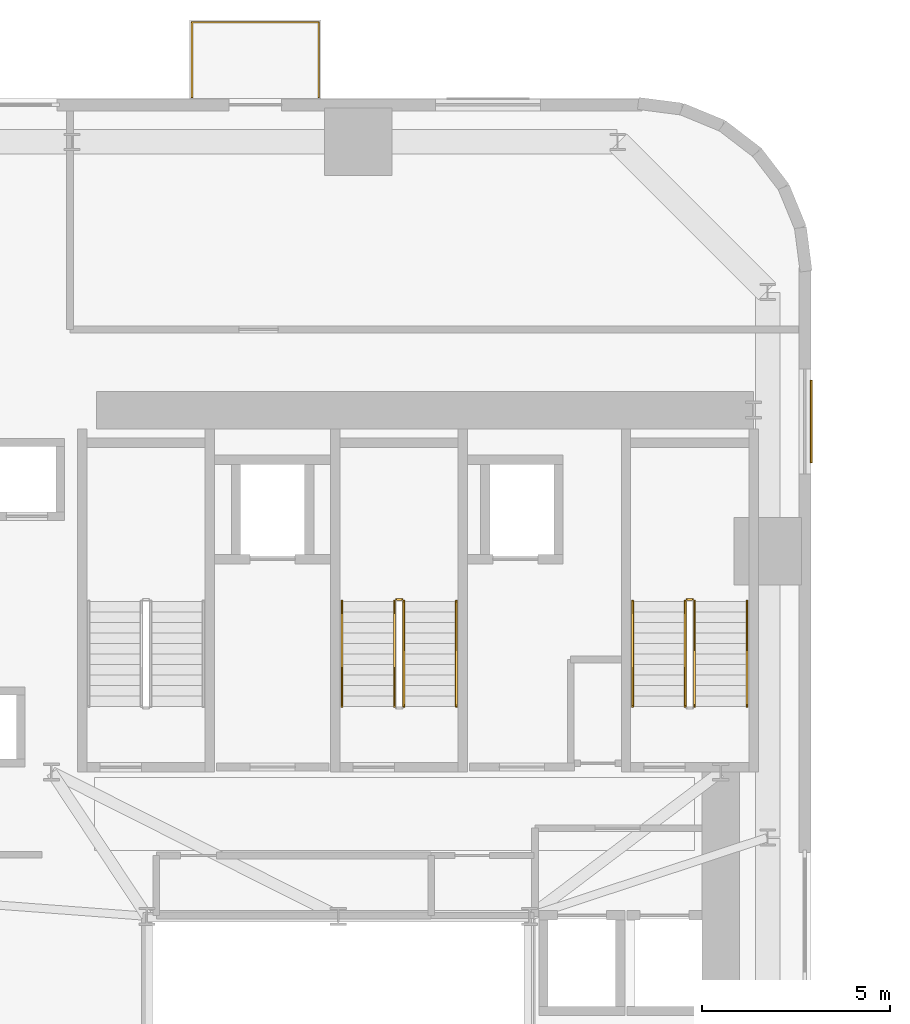
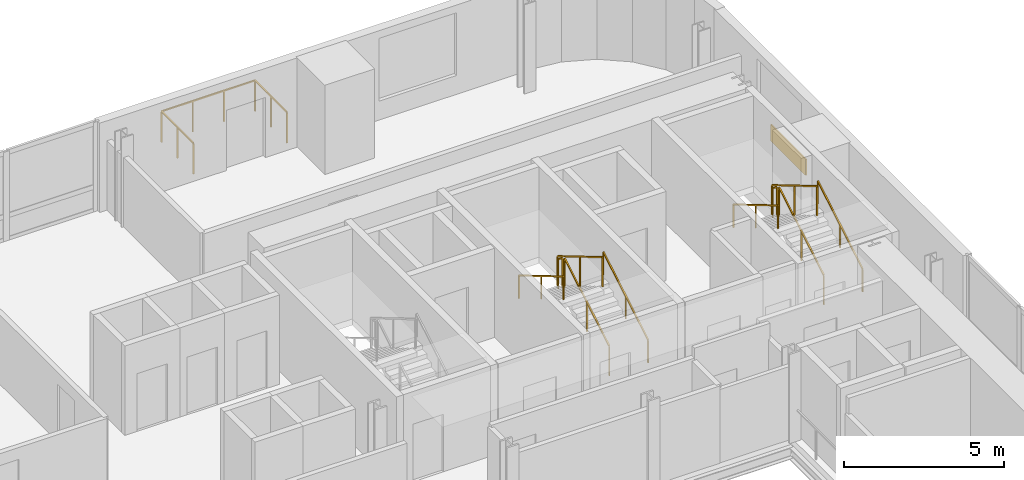
# One storey, part 13 of 13: 11 railings, 1 covering.
"""IFC4 building model written with IfcOpenShell, lengths in metres."""

from ifc_helpers import new_model, si_unit, direction, frame, origin, origin_2d, place, context, subcontext, project, spatial, rectangle, extrude, source, transform, mapped, material, layer, layer_set, type_object, element, save


model = new_model("IFC4")

# Units and contexts
model_context = context("Model", 3, precision=1e-05, world=origin(), true_north=direction((0.0, 1.0)))
body_context = subcontext(model_context, "Body", "Model", "MODEL_VIEW")
ifc_project = project(units=[si_unit("LENGTHUNIT", "METRE"), si_unit("AREAUNIT", "SQUARE_METRE"), si_unit("VOLUMEUNIT", "CUBIC_METRE"), si_unit("PLANEANGLEUNIT", "RADIAN"), si_unit("MASSUNIT", "GRAM", prefix="KILO")], contexts=[model_context])

# Site, building, storey
site_placement = place(None, origin())
site = spatial("IfcSite", under=ifc_project, at=site_placement, CompositionType="ELEMENT")
building_placement = place(site_placement, origin())
building = spatial("IfcBuilding", under=site, at=building_placement, Name="Vardaveli Station Tower", CompositionType="ELEMENT")
storey_placement = place(building_placement, frame((0.0, 0.0, 49.5)))
storey = spatial("IfcBuildingStorey", under=building, at=storey_placement, Name="L12", CompositionType="ELEMENT", Elevation=49.5)

# Covering
ifc_material_1 = material(Name="Ventilated honed travertine stone cladding", Category="masonry")
ifc_layer = layer(ifc_material_1, 0.044921875, Name="Ventilated honed travertine stone cladding")
ifc_layer_set = layer_set([ifc_layer], Name="Ventilated honed travertine stone cladding")
covering_type = type_object("IfcCoveringType", Name="COV-CLAD-TR45", PredefinedType="CLADDING", material=ifc_layer_set)
shared_shape_1 = source(origin(), body_context, "Body", "SweptSolid", [
    extrude(rectangle(XDim=2.199951171875, YDim=0.044921875, at=origin_2d()), origin(), (0.0, 0.0, 1.0), 0.6201171875),
])
covering_placement = place(storey_placement, frame((48.91455078125, 39.9951171875, 0.06982421875), z_axis=(0.0, 0.0, 1.0), x_axis=(0.0, 1.0, 0.0)))
element("IfcCovering", 1, at=covering_placement, inside=storey, type_object=covering_type, Name="CLD-TR-L12-E", PredefinedType="CLADDING", context=body_context, shape_type="MappedRepresentation", body=[
    mapped(shared_shape_1, transform((0.0, 0.0, 0.0), scale=1.0)),
])

# Railings
ifc_material_2 = material(Name="Laminated glass and stainless steel balustrade", Category="steel")
railing_type_1 = type_object("IfcRailingType", Name="RL-BAL-1200", PredefinedType="BALUSTRADE", material=ifc_material_2)
shared_shape_2 = source(origin(), body_context, "Body", "SweptSolid", [
    extrude(rectangle(XDim=0.048095703125, YDim=0.048095703125, at=origin_2d()), frame((0.0, 0.0, 1.17578125), z_axis=(0.0, 1.0, 0.0), x_axis=(-1.0, 0.0, 0.0)), (0.0, 0.0, 1.0), 2.0),
    extrude(rectangle(XDim=0.048095703125, YDim=0.048095703125, at=origin_2d()), frame((0.0, 2.0, 1.17578125), z_axis=(1.0, 0.0, 0.0), x_axis=(0.0, 1.0, 0.0)), (0.0, 0.0, 1.0), 3.3798828125),
    extrude(rectangle(XDim=0.048095703125, YDim=0.048095703125, at=origin_2d()), frame((3.3798828125, 2.0, 1.17578125), z_axis=(0.0, -1.0, 0.0), x_axis=(1.0, 0.0, 0.0)), (0.0, 0.0, 1.0), 2.0),
    extrude(rectangle(XDim=0.0419921875, YDim=0.0419921875, at=origin_2d()), origin(), (0.0, 0.0, 1.0), 1.15185546875),
    extrude(rectangle(XDim=0.0419921875, YDim=0.0419921875, at=origin_2d()), frame((0.0, 1.0, 0.0)), (0.0, 0.0, 1.0), 1.15185546875),
    extrude(rectangle(XDim=0.0419921875, YDim=0.0419921875, at=origin_2d()), frame((0.0, 2.0, 0.0)), (0.0, 0.0, 1.0), 1.15185546875),
    extrude(rectangle(XDim=0.0419921875, YDim=0.0419921875, at=origin_2d()), frame((1.126708984375, 2.0, 0.0)), (0.0, 0.0, 1.0), 1.15185546875),
    extrude(rectangle(XDim=0.0419921875, YDim=0.0419921875, at=origin_2d()), frame((2.253173828125, 2.0, 0.0)), (0.0, 0.0, 1.0), 1.15185546875),
    extrude(rectangle(XDim=0.0419921875, YDim=0.0419921875, at=origin_2d()), frame((3.3798828125, 2.0, 0.0)), (0.0, 0.0, 1.0), 1.15185546875),
    extrude(rectangle(XDim=0.0419921875, YDim=0.0419921875, at=origin_2d()), frame((3.3798828125, 1.0, 0.0)), (0.0, 0.0, 1.0), 1.15185546875),
    extrude(rectangle(XDim=0.0419921875, YDim=0.0419921875, at=origin_2d()), frame((3.3798828125, 0.0, 0.0)), (0.0, 0.0, 1.0), 1.15185546875),
])
railing_placement = place(storey_placement, frame((32.399658203125, 48.639892578125, 0.0)))
element("IfcRailing", 2, at=railing_placement, inside=storey, type_object=railing_type_1, Name="RL-LOG-L12-02", PredefinedType="BALUSTRADE", context=body_context, shape_type="MappedRepresentation", body=[
    mapped(shared_shape_2, transform((0.0, 0.0, 0.0), scale=1.0)),
])
ifc_material_3 = material(Name="Brushed AISI 316 stainless steel", Category="steel")
railing_type_2 = type_object("IfcRailingType", Name="RL-GUARD-1150", PredefinedType="GUARDRAIL", material=ifc_material_3)
shared_shape_3 = source(origin(), body_context, "Body", "SweptSolid", [
    extrude(rectangle(XDim=0.048095703125, YDim=0.048095703125, at=origin_2d()), frame((0.0, 0.0, 1.1259765625), z_axis=(-1.0, 0.0, 0.0), x_axis=(0.0, -1.0, 0.0)), (0.0, 0.0, 1.0), 0.14990234375),
    extrude(rectangle(XDim=0.0419921875, YDim=0.0419921875, at=origin_2d()), origin(), (0.0, 0.0, 1.0), 1.101806640625),
    extrude(rectangle(XDim=0.0419921875, YDim=0.0419921875, at=origin_2d()), frame((-0.14990234375, 0.0, 0.0)), (0.0, 0.0, 1.0), 1.101806640625),
])
for number, where, name in (
    (3, (38.0, 35.25, 1.824951171875), "L12 ST-2 stair guard 2"),
    (4, (45.75, 35.25, 1.824951171875), "L12 ST-3 stair guard 2"),
):
    element("IfcRailing", number, at=place(storey_placement, frame(where)), inside=storey, type_object=railing_type_2, Name=name, PredefinedType="GUARDRAIL", context=body_context, shape_type="MappedRepresentation", body=[
        mapped(shared_shape_3, transform((0.0, 0.0, 0.0), scale=1.0)),
    ])
shared_shape_4 = source(origin(), body_context, "Body", "SweptSolid", [
    extrude(rectangle(XDim=0.048095703125, YDim=0.048095703125, at=origin_2d()), frame((0.0, 0.0, 1.1259765625), z_axis=(0.0, 0.860339051648, 0.50972219513), x_axis=(-1.0, 0.0, 0.0)), (0.0, 0.0, 1.0), 3.254638671875),
    extrude(rectangle(XDim=0.0419921875, YDim=0.0419921875, at=origin_2d()), origin(), (0.0, 0.0, 1.0), 1.101806640625),
    extrude(rectangle(XDim=0.0419921875, YDim=0.0419921875, at=origin_2d()), frame((0.0, 1.39990234375, 0.82958984375)), (0.0, 0.0, 1.0), 1.101806640625),
    extrude(rectangle(XDim=0.0419921875, YDim=0.0419921875, at=origin_2d()), frame((0.0, 2.800048828125, 1.658935546875)), (0.0, 0.0, 1.0), 1.101806640625),
])
for number, where, name in (
    (5, (38.050048828125, 32.39990234375, 0.166015625), "L12 ST-2 stair guard 1"),
    (6, (45.800048828125, 32.39990234375, 0.166015625), "L12 ST-3 stair guard 1"),
):
    element("IfcRailing", number, at=place(storey_placement, frame(where)), inside=storey, type_object=railing_type_2, Name=name, PredefinedType="GUARDRAIL", context=body_context, shape_type="MappedRepresentation", body=[
        mapped(shared_shape_4, transform((0.0, 0.0, 0.0), scale=1.0)),
    ])
shared_shape_5 = source(origin(), body_context, "Body", "SweptSolid", [
    extrude(rectangle(XDim=0.048095703125, YDim=0.048095703125, at=origin_2d()), frame((0.0, 0.0, 1.1259765625), z_axis=(0.0, -0.860339051648, 0.50972219513), x_axis=(1.0, 0.0, 0.0)), (0.0, 0.0, 1.0), 3.254638671875),
    extrude(rectangle(XDim=0.0419921875, YDim=0.0419921875, at=origin_2d()), origin(), (0.0, 0.0, 1.0), 1.101806640625),
    extrude(rectangle(XDim=0.0419921875, YDim=0.0419921875, at=origin_2d()), frame((0.0, -1.39990234375, 0.82958984375)), (0.0, 0.0, 1.0), 1.101806640625),
    extrude(rectangle(XDim=0.0419921875, YDim=0.0419921875, at=origin_2d()), frame((0.0, -2.800048828125, 1.658935546875)), (0.0, 0.0, 1.0), 1.101806640625),
])
for number, where, name in (
    (7, (37.800048828125, 35.199951171875, 1.990966796875), "L12 ST-2 stair guard 3"),
    (8, (45.550048828125, 35.199951171875, 1.990966796875), "L12 ST-3 stair guard 3"),
):
    element("IfcRailing", number, at=place(storey_placement, frame(where)), inside=storey, type_object=railing_type_2, Name=name, PredefinedType="GUARDRAIL", context=body_context, shape_type="MappedRepresentation", body=[
        mapped(shared_shape_5, transform((0.0, 0.0, 0.0), scale=1.0)),
    ])
railing_type_3 = type_object("IfcRailingType", Name="RL-HAND-900", PredefinedType="HANDRAIL", material=ifc_material_3)
shared_shape_6 = source(origin(), body_context, "Body", "SweptSolid", [
    extrude(rectangle(XDim=0.048095703125, YDim=0.048095703125, at=origin_2d()), frame((0.0, 0.0, 0.8759765625), z_axis=(0.0, 0.860339051648, 0.50972219513), x_axis=(-1.0, 0.0, 0.0)), (0.0, 0.0, 1.0), 3.254638671875),
    extrude(rectangle(XDim=0.0419921875, YDim=0.0419921875, at=origin_2d()), origin(), (0.0, 0.0, 1.0), 0.851806640625),
    extrude(rectangle(XDim=0.0419921875, YDim=0.0419921875, at=origin_2d()), frame((0.0, 1.39990234375, 0.82958984375)), (0.0, 0.0, 1.0), 0.851806640625),
    extrude(rectangle(XDim=0.0419921875, YDim=0.0419921875, at=origin_2d()), frame((0.0, 2.800048828125, 1.658935546875)), (0.0, 0.0, 1.0), 0.851806640625),
])
for number, where, name in (
    (9, (39.449951171875, 32.39990234375, 0.166015625), "L12 ST-2 stair handrail 1"),
    (10, (47.199951171875, 32.39990234375, 0.166015625), "L12 ST-3 stair handrail 1"),
):
    element("IfcRailing", number, at=place(storey_placement, frame(where)), inside=storey, type_object=railing_type_3, Name=name, PredefinedType="HANDRAIL", context=body_context, shape_type="MappedRepresentation", body=[
        mapped(shared_shape_6, transform((0.0, 0.0, 0.0), scale=1.0)),
    ])
shared_shape_7 = source(origin(), body_context, "Body", "SweptSolid", [
    extrude(rectangle(XDim=0.048095703125, YDim=0.048095703125, at=origin_2d()), frame((0.0, 0.0, 0.8759765625), z_axis=(0.0, -0.860339051648, 0.50972219513), x_axis=(1.0, 0.0, 0.0)), (0.0, 0.0, 1.0), 3.254638671875),
    extrude(rectangle(XDim=0.0419921875, YDim=0.0419921875, at=origin_2d()), origin(), (0.0, 0.0, 1.0), 0.851806640625),
    extrude(rectangle(XDim=0.0419921875, YDim=0.0419921875, at=origin_2d()), frame((0.0, -1.39990234375, 0.82958984375)), (0.0, 0.0, 1.0), 0.851806640625),
    extrude(rectangle(XDim=0.0419921875, YDim=0.0419921875, at=origin_2d()), frame((0.0, -2.800048828125, 1.658935546875)), (0.0, 0.0, 1.0), 0.851806640625),
])
for number, where, name in (
    (11, (36.39990234375, 35.199951171875, 1.990966796875), "L12 ST-2 stair handrail 2"),
    (12, (44.14990234375, 35.199951171875, 1.990966796875), "L12 ST-3 stair handrail 2"),
):
    element("IfcRailing", number, at=place(storey_placement, frame(where)), inside=storey, type_object=railing_type_3, Name=name, PredefinedType="HANDRAIL", context=body_context, shape_type="MappedRepresentation", body=[
        mapped(shared_shape_7, transform((0.0, 0.0, 0.0), scale=1.0)),
    ])

save(model, "model.ifc")
